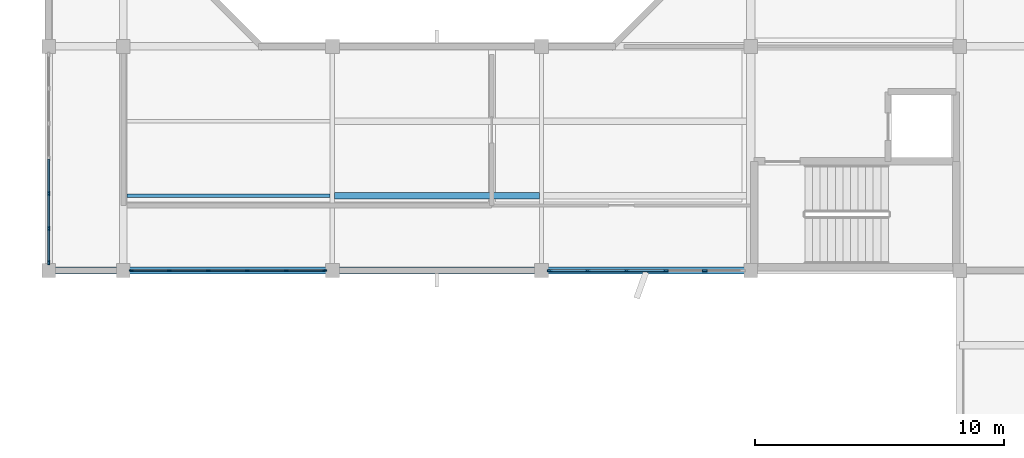
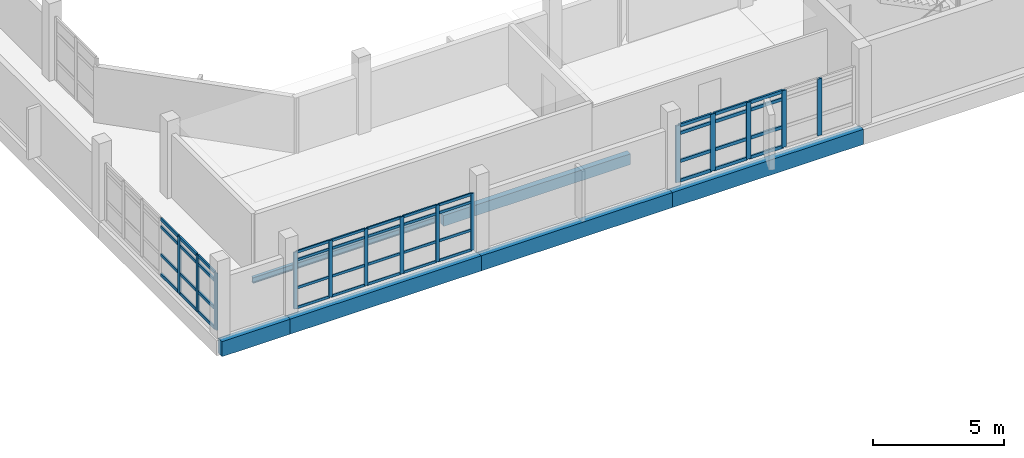
# One storey, part 2 of 51: 58 members, 6 beams, 3 elements without a shape of their own.
"""IFC4 building model written with IfcOpenShell, lengths in metres."""

from ifc_helpers import new_model, si_unit, direction, frame, origin, origin_2d, place, context, subcontext, project, spatial, rectangle, i_section, extrude, material, material_profile, profile_set, type_object, element, aggregate, save


model = new_model("IFC4")

# Units and contexts
model_context = context("Model", 3, precision=1e-05, world=origin(), true_north=direction((0.0, 1.0)))
body_context = subcontext(model_context, "Body", "Model", "MODEL_VIEW")
ifc_project = project(units=[si_unit("LENGTHUNIT", "METRE"), si_unit("AREAUNIT", "SQUARE_METRE"), si_unit("VOLUMEUNIT", "CUBIC_METRE"), si_unit("PLANEANGLEUNIT", "RADIAN"), si_unit("MASSUNIT", "GRAM", prefix="KILO")], contexts=[model_context])

# Site, building, storey
site_placement = place(None, origin())
site = spatial("IfcSite", under=ifc_project, at=site_placement, CompositionType="ELEMENT")
building_placement = place(site_placement, origin())
building = spatial("IfcBuilding", under=site, at=building_placement, Name="Vanh Quang Courtyard School", CompositionType="ELEMENT")
storey_placement = place(building_placement, frame((0.0, 0.0, 11.39990234375)))
storey = spatial("IfcBuildingStorey", under=building, at=storey_placement, Name="L03", CompositionType="ELEMENT", Elevation=11.39990234375)

# Beams
ifc_material_1 = material(Name="Concrete C35/45", Category="concrete")
ifc_material_profile_1 = material_profile(ifc_material_1, rectangle(XDim=0.300048828125, YDim=0.699951171875, at=origin_2d()), Name="RC-SP 300x700")
ifc_profile_set_1 = profile_set([ifc_material_profile_1], Name="Concrete C35/45")
beam_type_1 = type_object("IfcBeamType", Name="BM-SP-300x700", PredefinedType="SPANDREL", material=ifc_profile_set_1)
beam_1_placement = place(storey_placement, frame((37.800048828125, 32.39990234375, -0.64990234375), z_axis=(1.0, 0.0, 0.0), x_axis=(0.0, 1.0, 0.0)))
element("IfcBeam", 1, at=beam_1_placement, inside=storey, type_object=beam_type_1, Name="Beam BS-01 (L03)", PredefinedType="SPANDREL", context=body_context, shape_type="SweptSolid", body=[
    extrude(rectangle(XDim=0.300048828125, YDim=0.699951171875, at=origin_2d()), origin(), (0.0, 0.0, 1.0), 3.0),
])
beam_2_placement = place(storey_placement, frame((40.800048828125, 32.39990234375, -0.64990234375), z_axis=(1.0, 0.0, 0.0), x_axis=(0.0, 1.0, 0.0)))
element("IfcBeam", 2, at=beam_2_placement, inside=storey, type_object=beam_type_1, Name="Beam BS-01 (L03)", PredefinedType="SPANDREL", context=body_context, shape_type="SweptSolid", body=[
    extrude(rectangle(XDim=0.300048828125, YDim=0.699951171875, at=origin_2d()), origin(), (0.0, 0.0, 1.0), 8.39990234375),
])
beam_3_placement = place(storey_placement, frame((49.199951171875, 32.39990234375, -0.64990234375), z_axis=(1.0, 0.0, 0.0), x_axis=(0.0, 1.0, 0.0)))
element("IfcBeam", 3, at=beam_3_placement, inside=storey, type_object=beam_type_1, Name="Beam BS-01 (L03)", PredefinedType="SPANDREL", context=body_context, shape_type="SweptSolid", body=[
    extrude(rectangle(XDim=0.300048828125, YDim=0.699951171875, at=origin_2d()), origin(), (0.0, 0.0, 1.0), 8.400146484375),
])
beam_4_placement = place(storey_placement, frame((57.60009765625, 32.39990234375, -0.64990234375), z_axis=(1.0, 0.0, 0.0), x_axis=(0.0, 1.0, 0.0)))
element("IfcBeam", 4, at=beam_4_placement, inside=storey, type_object=beam_type_1, Name="Beam BS-01 (L03)", PredefinedType="SPANDREL", context=body_context, shape_type="SweptSolid", body=[
    extrude(rectangle(XDim=0.300048828125, YDim=0.699951171875, at=origin_2d()), origin(), (0.0, 0.0, 1.0), 8.39990234375),
])

# Curtain wall, members
ifc_material_2 = material(Name="Thermally broken aluminium unitised curtain wall", Category="aluminium")
curtain_wall_type_1 = type_object("IfcCurtainWallType", Name="CW-SYS-24", PredefinedType="NOTDEFINED", material=ifc_material_2)
curtain_wall_1_placement = place(storey_placement, origin())
curtain_wall_1 = element("IfcCurtainWall", 5, at=curtain_wall_1_placement, inside=storey, type_object=curtain_wall_type_1, Name="Curtain Wall CW-24 (L03)", PredefinedType="NOTDEFINED")
ifc_material_3 = material(Name="Anodised aluminium 6063-T6", Category="aluminium")
ifc_material_profile_2 = material_profile(ifc_material_3, rectangle(XDim=0.06005859375, YDim=0.159912109375, at=origin_2d()), Name="ALU-MUL 60x160")
ifc_profile_set_2 = profile_set([ifc_material_profile_2], Name="Anodised aluminium 6063-T6")
member_type_1 = type_object("IfcMemberType", Name="CW-MUL-60x160", PredefinedType="MULLION", material=ifc_profile_set_2)
member_1_placement = place(storey_placement, frame((48.886962890625, 32.39990234375, 0.0), z_axis=(0.0, 0.0, 1.0), x_axis=(0.0, -1.0, 0.0)))
member_1 = element("IfcMember", 6, at=member_1_placement, type_object=member_type_1, Name="CW-24 mullion 1", PredefinedType="MULLION", context=body_context, shape_type="SweptSolid", body=[
    extrude(rectangle(XDim=0.06005859375, YDim=0.159912109375, at=origin_2d()), origin(), (0.0, 0.0, 1.0), 2.64013671875),
])
member_2_placement = place(storey_placement, frame((47.35009765625, 32.39990234375, 0.0), z_axis=(0.0, 0.0, 1.0), x_axis=(0.0, -1.0, 0.0)))
member_2 = element("IfcMember", 7, at=member_2_placement, type_object=member_type_1, Name="CW-24 mullion 2", PredefinedType="MULLION", context=body_context, shape_type="SweptSolid", body=[
    extrude(rectangle(XDim=0.06005859375, YDim=0.159912109375, at=origin_2d()), origin(), (0.0, 0.0, 1.0), 2.64013671875),
])
member_3_placement = place(storey_placement, frame((45.783447265625, 32.39990234375, 0.0), z_axis=(0.0, 0.0, 1.0), x_axis=(0.0, -1.0, 0.0)))
member_3 = element("IfcMember", 8, at=member_3_placement, type_object=member_type_1, Name="CW-24 mullion 3", PredefinedType="MULLION", context=body_context, shape_type="SweptSolid", body=[
    extrude(rectangle(XDim=0.06005859375, YDim=0.159912109375, at=origin_2d()), origin(), (0.0, 0.0, 1.0), 2.64013671875),
])
member_4_placement = place(storey_placement, frame((44.216552734375, 32.39990234375, 0.0), z_axis=(0.0, 0.0, 1.0), x_axis=(0.0, -1.0, 0.0)))
member_4 = element("IfcMember", 9, at=member_4_placement, type_object=member_type_1, Name="CW-24 mullion 4", PredefinedType="MULLION", context=body_context, shape_type="SweptSolid", body=[
    extrude(rectangle(XDim=0.06005859375, YDim=0.159912109375, at=origin_2d()), origin(), (0.0, 0.0, 1.0), 2.64013671875),
])
member_5_placement = place(storey_placement, frame((42.64990234375, 32.39990234375, 0.0), z_axis=(0.0, 0.0, 1.0), x_axis=(0.0, -1.0, 0.0)))
member_5 = element("IfcMember", 10, at=member_5_placement, type_object=member_type_1, Name="CW-24 mullion 5", PredefinedType="MULLION", context=body_context, shape_type="SweptSolid", body=[
    extrude(rectangle(XDim=0.06005859375, YDim=0.159912109375, at=origin_2d()), origin(), (0.0, 0.0, 1.0), 2.64013671875),
])
member_6_placement = place(storey_placement, frame((41.113037109375, 32.39990234375, 0.0), z_axis=(0.0, 0.0, 1.0), x_axis=(0.0, -1.0, 0.0)))
member_6 = element("IfcMember", 11, at=member_6_placement, type_object=member_type_1, Name="CW-24 mullion 6", PredefinedType="MULLION", context=body_context, shape_type="SweptSolid", body=[
    extrude(rectangle(XDim=0.06005859375, YDim=0.159912109375, at=origin_2d()), origin(), (0.0, 0.0, 1.0), 2.64013671875),
])

curtain_wall_type_2 = type_object("IfcCurtainWallType", Name="CW-SYS-48", PredefinedType="NOTDEFINED", material=ifc_material_2)
curtain_wall_2_placement = place(storey_placement, origin())
curtain_wall_2 = element("IfcCurtainWall", 12, at=curtain_wall_2_placement, inside=storey, type_object=curtain_wall_type_2, Name="Curtain Wall CW-48 (L03)", PredefinedType="NOTDEFINED")
ifc_material_profile_3 = material_profile(ifc_material_3, rectangle(XDim=0.070068359375, YDim=0.179931640625, at=origin_2d()), Name="ALU-MUL 70x180")
ifc_profile_set_3 = profile_set([ifc_material_profile_3], Name="Anodised aluminium 6063-T6")
member_type_2 = type_object("IfcMemberType", Name="CW-MUL-70x180", PredefinedType="MULLION", material=ifc_profile_set_3)
member_7_placement = place(storey_placement, frame((37.800048828125, 32.718017578125, 0.0), z_axis=(0.0, 0.0, 1.0), x_axis=(-1.0, 0.0, 0.0)))
member_7 = element("IfcMember", 13, at=member_7_placement, type_object=member_type_2, Name="CW-48 mullion 1", PredefinedType="MULLION", context=body_context, shape_type="SweptSolid", body=[
    extrude(rectangle(XDim=0.070068359375, YDim=0.179931640625, at=origin_2d()), origin(), (0.0, 0.0, 1.0), 2.64013671875),
])
member_8_placement = place(storey_placement, frame((37.800048828125, 34.088623046875, 0.0), z_axis=(0.0, 0.0, 1.0), x_axis=(-1.0, 0.0, 0.0)))
member_8 = element("IfcMember", 14, at=member_8_placement, type_object=member_type_2, Name="CW-48 mullion 2", PredefinedType="MULLION", context=body_context, shape_type="SweptSolid", body=[
    extrude(rectangle(XDim=0.070068359375, YDim=0.179931640625, at=origin_2d()), origin(), (0.0, 0.0, 1.0), 2.64013671875),
])
member_9_placement = place(storey_placement, frame((37.800048828125, 35.494384765625, 0.0), z_axis=(0.0, 0.0, 1.0), x_axis=(-1.0, 0.0, 0.0)))
member_9 = element("IfcMember", 15, at=member_9_placement, type_object=member_type_2, Name="CW-48 mullion 3", PredefinedType="MULLION", context=body_context, shape_type="SweptSolid", body=[
    extrude(rectangle(XDim=0.070068359375, YDim=0.179931640625, at=origin_2d()), origin(), (0.0, 0.0, 1.0), 2.64013671875),
])

curtain_wall_3_placement = place(storey_placement, origin())
curtain_wall_3 = element("IfcCurtainWall", 16, at=curtain_wall_3_placement, inside=storey, type_object=curtain_wall_type_1, Name="Curtain Wall CW-24 (L03)", PredefinedType="NOTDEFINED")
ifc_material_profile_4 = material_profile(ifc_material_3, rectangle(XDim=0.080078125, YDim=0.199951171875, at=origin_2d()), Name="ALU-MUL 80x200")
ifc_profile_set_4 = profile_set([ifc_material_profile_4], Name="Anodised aluminium 6063-T6")
member_type_3 = type_object("IfcMemberType", Name="CW-MUL-80x200", PredefinedType="MULLION", material=ifc_profile_set_4)
member_10_placement = place(storey_placement, frame((64.150146484375, 32.39990234375, 0.0), z_axis=(0.0, 0.0, 1.0), x_axis=(0.0, -1.0, 0.0)))
member_10 = element("IfcMember", 17, at=member_10_placement, type_object=member_type_3, Name="CW-24 mullion 2", PredefinedType="MULLION", context=body_context, shape_type="SweptSolid", body=[
    extrude(rectangle(XDim=0.080078125, YDim=0.199951171875, at=origin_2d()), origin(), (0.0, 0.0, 1.0), 2.64013671875),
])
member_11_placement = place(storey_placement, frame((62.58349609375, 32.39990234375, 0.0), z_axis=(0.0, 0.0, 1.0), x_axis=(0.0, -1.0, 0.0)))
member_11 = element("IfcMember", 18, at=member_11_placement, type_object=member_type_3, Name="CW-24 mullion 3", PredefinedType="MULLION", context=body_context, shape_type="SweptSolid", body=[
    extrude(rectangle(XDim=0.080078125, YDim=0.199951171875, at=origin_2d()), origin(), (0.0, 0.0, 1.0), 2.64013671875),
])
member_12_placement = place(storey_placement, frame((61.0166015625, 32.39990234375, 0.0), z_axis=(0.0, 0.0, 1.0), x_axis=(0.0, -1.0, 0.0)))
member_12 = element("IfcMember", 19, at=member_12_placement, type_object=member_type_3, Name="CW-24 mullion 4", PredefinedType="MULLION", context=body_context, shape_type="SweptSolid", body=[
    extrude(rectangle(XDim=0.080078125, YDim=0.199951171875, at=origin_2d()), origin(), (0.0, 0.0, 1.0), 2.64013671875),
])
member_13_placement = place(storey_placement, frame((59.44970703125, 32.39990234375, 0.0), z_axis=(0.0, 0.0, 1.0), x_axis=(0.0, -1.0, 0.0)))
member_13 = element("IfcMember", 20, at=member_13_placement, type_object=member_type_3, Name="CW-24 mullion 5", PredefinedType="MULLION", context=body_context, shape_type="SweptSolid", body=[
    extrude(rectangle(XDim=0.080078125, YDim=0.199951171875, at=origin_2d()), origin(), (0.0, 0.0, 1.0), 2.64013671875),
])
member_14_placement = place(storey_placement, frame((57.923095703125, 32.39990234375, 0.0), z_axis=(0.0, 0.0, 1.0), x_axis=(0.0, -1.0, 0.0)))
member_14 = element("IfcMember", 21, at=member_14_placement, type_object=member_type_3, Name="CW-24 mullion 6", PredefinedType="MULLION", context=body_context, shape_type="SweptSolid", body=[
    extrude(rectangle(XDim=0.080078125, YDim=0.199951171875, at=origin_2d()), origin(), (0.0, 0.0, 1.0), 2.64013671875),
])

# Member
ifc_material_profile_5 = material_profile(ifc_material_3, rectangle(XDim=0.06005859375, YDim=0.1201171875, at=origin_2d()), Name="ALU-TRN 60x120")
ifc_profile_set_5 = profile_set([ifc_material_profile_5], Name="Anodised aluminium 6063-T6")
member_type_4 = type_object("IfcMemberType", Name="CW-TRN-60x120", PredefinedType="USERDEFINED", material=ifc_profile_set_5)
member_15_placement = place(storey_placement, frame((48.85693359375, 32.39990234375, 0.030029296875), z_axis=(-1.0, 0.0, 0.0), x_axis=(0.0, -1.0, 0.0)))
member_15 = element("IfcMember", 22, at=member_15_placement, type_object=member_type_4, Name="CW-24 transom 1.1", ObjectType="TRANSOM", PredefinedType="USERDEFINED", context=body_context, shape_type="SweptSolid", body=[
    extrude(rectangle(XDim=0.06005859375, YDim=0.1201171875, at=origin_2d()), origin(), (0.0, 0.0, 1.0), 1.476806640625),
])

member_16_placement = place(storey_placement, frame((48.85693359375, 32.39990234375, 0.9501953125), z_axis=(-1.0, 0.0, 0.0), x_axis=(0.0, -1.0, 0.0)))
member_16 = element("IfcMember", 23, at=member_16_placement, type_object=member_type_4, Name="CW-24 transom 1.2", ObjectType="TRANSOM", PredefinedType="USERDEFINED", context=body_context, shape_type="SweptSolid", body=[
    extrude(rectangle(XDim=0.06005859375, YDim=0.1201171875, at=origin_2d()), origin(), (0.0, 0.0, 1.0), 1.476806640625),
])

member_17_placement = place(storey_placement, frame((48.85693359375, 32.39990234375, 2.25), z_axis=(-1.0, 0.0, 0.0), x_axis=(0.0, -1.0, 0.0)))
member_17 = element("IfcMember", 24, at=member_17_placement, type_object=member_type_4, Name="CW-24 transom 1.3", ObjectType="TRANSOM", PredefinedType="USERDEFINED", context=body_context, shape_type="SweptSolid", body=[
    extrude(rectangle(XDim=0.06005859375, YDim=0.1201171875, at=origin_2d()), origin(), (0.0, 0.0, 1.0), 1.476806640625),
])

member_18_placement = place(storey_placement, frame((48.85693359375, 32.39990234375, 2.610107421875), z_axis=(-1.0, 0.0, 0.0), x_axis=(0.0, -1.0, 0.0)))
member_18 = element("IfcMember", 25, at=member_18_placement, type_object=member_type_4, Name="CW-24 transom 1.4", ObjectType="TRANSOM", PredefinedType="USERDEFINED", context=body_context, shape_type="SweptSolid", body=[
    extrude(rectangle(XDim=0.06005859375, YDim=0.1201171875, at=origin_2d()), origin(), (0.0, 0.0, 1.0), 1.476806640625),
])

member_19_placement = place(storey_placement, frame((47.3203125, 32.39990234375, 0.030029296875), z_axis=(-1.0, 0.0, 0.0), x_axis=(0.0, -1.0, 0.0)))
member_19 = element("IfcMember", 26, at=member_19_placement, type_object=member_type_4, Name="CW-24 transom 2.1", ObjectType="TRANSOM", PredefinedType="USERDEFINED", context=body_context, shape_type="SweptSolid", body=[
    extrude(rectangle(XDim=0.06005859375, YDim=0.1201171875, at=origin_2d()), origin(), (0.0, 0.0, 1.0), 1.5068359375),
])

member_20_placement = place(storey_placement, frame((47.3203125, 32.39990234375, 0.9501953125), z_axis=(-1.0, 0.0, 0.0), x_axis=(0.0, -1.0, 0.0)))
member_20 = element("IfcMember", 27, at=member_20_placement, type_object=member_type_4, Name="CW-24 transom 2.2", ObjectType="TRANSOM", PredefinedType="USERDEFINED", context=body_context, shape_type="SweptSolid", body=[
    extrude(rectangle(XDim=0.06005859375, YDim=0.1201171875, at=origin_2d()), origin(), (0.0, 0.0, 1.0), 1.5068359375),
])

member_21_placement = place(storey_placement, frame((47.3203125, 32.39990234375, 2.25), z_axis=(-1.0, 0.0, 0.0), x_axis=(0.0, -1.0, 0.0)))
member_21 = element("IfcMember", 28, at=member_21_placement, type_object=member_type_4, Name="CW-24 transom 2.3", ObjectType="TRANSOM", PredefinedType="USERDEFINED", context=body_context, shape_type="SweptSolid", body=[
    extrude(rectangle(XDim=0.06005859375, YDim=0.1201171875, at=origin_2d()), origin(), (0.0, 0.0, 1.0), 1.5068359375),
])

member_22_placement = place(storey_placement, frame((47.3203125, 32.39990234375, 2.610107421875), z_axis=(-1.0, 0.0, 0.0), x_axis=(0.0, -1.0, 0.0)))
member_22 = element("IfcMember", 29, at=member_22_placement, type_object=member_type_4, Name="CW-24 transom 2.4", ObjectType="TRANSOM", PredefinedType="USERDEFINED", context=body_context, shape_type="SweptSolid", body=[
    extrude(rectangle(XDim=0.06005859375, YDim=0.1201171875, at=origin_2d()), origin(), (0.0, 0.0, 1.0), 1.5068359375),
])

member_23_placement = place(storey_placement, frame((45.75341796875, 32.39990234375, 0.030029296875), z_axis=(-1.0, 0.0, 0.0), x_axis=(0.0, -1.0, 0.0)))
member_23 = element("IfcMember", 30, at=member_23_placement, type_object=member_type_4, Name="CW-24 transom 3.1", ObjectType="TRANSOM", PredefinedType="USERDEFINED", context=body_context, shape_type="SweptSolid", body=[
    extrude(rectangle(XDim=0.06005859375, YDim=0.1201171875, at=origin_2d()), origin(), (0.0, 0.0, 1.0), 1.5068359375),
])

member_24_placement = place(storey_placement, frame((45.75341796875, 32.39990234375, 0.9501953125), z_axis=(-1.0, 0.0, 0.0), x_axis=(0.0, -1.0, 0.0)))
member_24 = element("IfcMember", 31, at=member_24_placement, type_object=member_type_4, Name="CW-24 transom 3.2", ObjectType="TRANSOM", PredefinedType="USERDEFINED", context=body_context, shape_type="SweptSolid", body=[
    extrude(rectangle(XDim=0.06005859375, YDim=0.1201171875, at=origin_2d()), origin(), (0.0, 0.0, 1.0), 1.5068359375),
])

member_25_placement = place(storey_placement, frame((45.75341796875, 32.39990234375, 2.25), z_axis=(-1.0, 0.0, 0.0), x_axis=(0.0, -1.0, 0.0)))
member_25 = element("IfcMember", 32, at=member_25_placement, type_object=member_type_4, Name="CW-24 transom 3.3", ObjectType="TRANSOM", PredefinedType="USERDEFINED", context=body_context, shape_type="SweptSolid", body=[
    extrude(rectangle(XDim=0.06005859375, YDim=0.1201171875, at=origin_2d()), origin(), (0.0, 0.0, 1.0), 1.5068359375),
])

member_26_placement = place(storey_placement, frame((45.75341796875, 32.39990234375, 2.610107421875), z_axis=(-1.0, 0.0, 0.0), x_axis=(0.0, -1.0, 0.0)))
member_26 = element("IfcMember", 33, at=member_26_placement, type_object=member_type_4, Name="CW-24 transom 3.4", ObjectType="TRANSOM", PredefinedType="USERDEFINED", context=body_context, shape_type="SweptSolid", body=[
    extrude(rectangle(XDim=0.06005859375, YDim=0.1201171875, at=origin_2d()), origin(), (0.0, 0.0, 1.0), 1.5068359375),
])

member_27_placement = place(storey_placement, frame((44.1865234375, 32.39990234375, 0.030029296875), z_axis=(-1.0, 0.0, 0.0), x_axis=(0.0, -1.0, 0.0)))
member_27 = element("IfcMember", 34, at=member_27_placement, type_object=member_type_4, Name="CW-24 transom 4.1", ObjectType="TRANSOM", PredefinedType="USERDEFINED", context=body_context, shape_type="SweptSolid", body=[
    extrude(rectangle(XDim=0.06005859375, YDim=0.1201171875, at=origin_2d()), origin(), (0.0, 0.0, 1.0), 1.5068359375),
])

member_28_placement = place(storey_placement, frame((44.1865234375, 32.39990234375, 0.9501953125), z_axis=(-1.0, 0.0, 0.0), x_axis=(0.0, -1.0, 0.0)))
member_28 = element("IfcMember", 35, at=member_28_placement, type_object=member_type_4, Name="CW-24 transom 4.2", ObjectType="TRANSOM", PredefinedType="USERDEFINED", context=body_context, shape_type="SweptSolid", body=[
    extrude(rectangle(XDim=0.06005859375, YDim=0.1201171875, at=origin_2d()), origin(), (0.0, 0.0, 1.0), 1.5068359375),
])

member_29_placement = place(storey_placement, frame((44.1865234375, 32.39990234375, 2.25), z_axis=(-1.0, 0.0, 0.0), x_axis=(0.0, -1.0, 0.0)))
member_29 = element("IfcMember", 36, at=member_29_placement, type_object=member_type_4, Name="CW-24 transom 4.3", ObjectType="TRANSOM", PredefinedType="USERDEFINED", context=body_context, shape_type="SweptSolid", body=[
    extrude(rectangle(XDim=0.06005859375, YDim=0.1201171875, at=origin_2d()), origin(), (0.0, 0.0, 1.0), 1.5068359375),
])

member_30_placement = place(storey_placement, frame((44.1865234375, 32.39990234375, 2.610107421875), z_axis=(-1.0, 0.0, 0.0), x_axis=(0.0, -1.0, 0.0)))
member_30 = element("IfcMember", 37, at=member_30_placement, type_object=member_type_4, Name="CW-24 transom 4.4", ObjectType="TRANSOM", PredefinedType="USERDEFINED", context=body_context, shape_type="SweptSolid", body=[
    extrude(rectangle(XDim=0.06005859375, YDim=0.1201171875, at=origin_2d()), origin(), (0.0, 0.0, 1.0), 1.5068359375),
])

member_31_placement = place(storey_placement, frame((42.619873046875, 32.39990234375, 0.030029296875), z_axis=(-1.0, 0.0, 0.0), x_axis=(0.0, -1.0, 0.0)))
member_31 = element("IfcMember", 38, at=member_31_placement, type_object=member_type_4, Name="CW-24 transom 5.1", ObjectType="TRANSOM", PredefinedType="USERDEFINED", context=body_context, shape_type="SweptSolid", body=[
    extrude(rectangle(XDim=0.06005859375, YDim=0.1201171875, at=origin_2d()), origin(), (0.0, 0.0, 1.0), 1.476806640625),
])

member_32_placement = place(storey_placement, frame((42.619873046875, 32.39990234375, 0.9501953125), z_axis=(-1.0, 0.0, 0.0), x_axis=(0.0, -1.0, 0.0)))
member_32 = element("IfcMember", 39, at=member_32_placement, type_object=member_type_4, Name="CW-24 transom 5.2", ObjectType="TRANSOM", PredefinedType="USERDEFINED", context=body_context, shape_type="SweptSolid", body=[
    extrude(rectangle(XDim=0.06005859375, YDim=0.1201171875, at=origin_2d()), origin(), (0.0, 0.0, 1.0), 1.476806640625),
])

member_33_placement = place(storey_placement, frame((42.619873046875, 32.39990234375, 2.25), z_axis=(-1.0, 0.0, 0.0), x_axis=(0.0, -1.0, 0.0)))
member_33 = element("IfcMember", 40, at=member_33_placement, type_object=member_type_4, Name="CW-24 transom 5.3", ObjectType="TRANSOM", PredefinedType="USERDEFINED", context=body_context, shape_type="SweptSolid", body=[
    extrude(rectangle(XDim=0.06005859375, YDim=0.1201171875, at=origin_2d()), origin(), (0.0, 0.0, 1.0), 1.476806640625),
])

member_34_placement = place(storey_placement, frame((42.619873046875, 32.39990234375, 2.610107421875), z_axis=(-1.0, 0.0, 0.0), x_axis=(0.0, -1.0, 0.0)))
member_34 = element("IfcMember", 41, at=member_34_placement, type_object=member_type_4, Name="CW-24 transom 5.4", ObjectType="TRANSOM", PredefinedType="USERDEFINED", context=body_context, shape_type="SweptSolid", body=[
    extrude(rectangle(XDim=0.06005859375, YDim=0.1201171875, at=origin_2d()), origin(), (0.0, 0.0, 1.0), 1.476806640625),
])

aggregate(curtain_wall_1, [member_1, member_2, member_3, member_4, member_5, member_6, member_15, member_16, member_17, member_18, member_19, member_20, member_21, member_22, member_23, member_24, member_25, member_26, member_27, member_28, member_29, member_30, member_31, member_32, member_33, member_34])

ifc_material_profile_6 = material_profile(ifc_material_3, rectangle(XDim=0.070068359375, YDim=0.139892578125, at=origin_2d()), Name="ALU-TRN 70x140")
ifc_profile_set_6 = profile_set([ifc_material_profile_6], Name="Anodised aluminium 6063-T6")
member_type_5 = type_object("IfcMemberType", Name="CW-TRN-70x140", PredefinedType="USERDEFINED", material=ifc_profile_set_6)
member_35_placement = place(storey_placement, frame((37.800048828125, 32.7529296875, 0.03515625), z_axis=(0.0, 1.0, 0.0), x_axis=(-1.0, 0.0, 0.0)))
member_35 = element("IfcMember", 42, at=member_35_placement, type_object=member_type_5, Name="CW-48 transom 1.1", ObjectType="TRANSOM", PredefinedType="USERDEFINED", context=body_context, shape_type="SweptSolid", body=[
    extrude(rectangle(XDim=0.070068359375, YDim=0.139892578125, at=origin_2d()), origin(), (0.0, 0.0, 1.0), 1.30078125),
])

member_36_placement = place(storey_placement, frame((37.800048828125, 32.7529296875, 0.9501953125), z_axis=(0.0, 1.0, 0.0), x_axis=(-1.0, 0.0, 0.0)))
member_36 = element("IfcMember", 43, at=member_36_placement, type_object=member_type_5, Name="CW-48 transom 1.2", ObjectType="TRANSOM", PredefinedType="USERDEFINED", context=body_context, shape_type="SweptSolid", body=[
    extrude(rectangle(XDim=0.070068359375, YDim=0.139892578125, at=origin_2d()), origin(), (0.0, 0.0, 1.0), 1.30078125),
])

member_37_placement = place(storey_placement, frame((37.800048828125, 32.7529296875, 2.25), z_axis=(0.0, 1.0, 0.0), x_axis=(-1.0, 0.0, 0.0)))
member_37 = element("IfcMember", 44, at=member_37_placement, type_object=member_type_5, Name="CW-48 transom 1.3", ObjectType="TRANSOM", PredefinedType="USERDEFINED", context=body_context, shape_type="SweptSolid", body=[
    extrude(rectangle(XDim=0.070068359375, YDim=0.139892578125, at=origin_2d()), origin(), (0.0, 0.0, 1.0), 1.30078125),
])

member_38_placement = place(storey_placement, frame((37.800048828125, 32.7529296875, 2.60498046875), z_axis=(0.0, 1.0, 0.0), x_axis=(-1.0, 0.0, 0.0)))
member_38 = element("IfcMember", 45, at=member_38_placement, type_object=member_type_5, Name="CW-48 transom 1.4", ObjectType="TRANSOM", PredefinedType="USERDEFINED", context=body_context, shape_type="SweptSolid", body=[
    extrude(rectangle(XDim=0.070068359375, YDim=0.139892578125, at=origin_2d()), origin(), (0.0, 0.0, 1.0), 1.30078125),
])

member_39_placement = place(storey_placement, frame((37.800048828125, 34.123779296875, 0.03515625), z_axis=(0.0, 1.0, 0.0), x_axis=(-1.0, 0.0, 0.0)))
member_39 = element("IfcMember", 46, at=member_39_placement, type_object=member_type_5, Name="CW-48 transom 2.1", ObjectType="TRANSOM", PredefinedType="USERDEFINED", context=body_context, shape_type="SweptSolid", body=[
    extrude(rectangle(XDim=0.070068359375, YDim=0.139892578125, at=origin_2d()), origin(), (0.0, 0.0, 1.0), 1.33544921875),
])

member_40_placement = place(storey_placement, frame((37.800048828125, 34.123779296875, 0.9501953125), z_axis=(0.0, 1.0, 0.0), x_axis=(-1.0, 0.0, 0.0)))
member_40 = element("IfcMember", 47, at=member_40_placement, type_object=member_type_5, Name="CW-48 transom 2.2", ObjectType="TRANSOM", PredefinedType="USERDEFINED", context=body_context, shape_type="SweptSolid", body=[
    extrude(rectangle(XDim=0.070068359375, YDim=0.139892578125, at=origin_2d()), origin(), (0.0, 0.0, 1.0), 1.33544921875),
])

member_41_placement = place(storey_placement, frame((37.800048828125, 34.123779296875, 2.25), z_axis=(0.0, 1.0, 0.0), x_axis=(-1.0, 0.0, 0.0)))
member_41 = element("IfcMember", 48, at=member_41_placement, type_object=member_type_5, Name="CW-48 transom 2.3", ObjectType="TRANSOM", PredefinedType="USERDEFINED", context=body_context, shape_type="SweptSolid", body=[
    extrude(rectangle(XDim=0.070068359375, YDim=0.139892578125, at=origin_2d()), origin(), (0.0, 0.0, 1.0), 1.33544921875),
])

member_42_placement = place(storey_placement, frame((37.800048828125, 34.123779296875, 2.60498046875), z_axis=(0.0, 1.0, 0.0), x_axis=(-1.0, 0.0, 0.0)))
member_42 = element("IfcMember", 49, at=member_42_placement, type_object=member_type_5, Name="CW-48 transom 2.4", ObjectType="TRANSOM", PredefinedType="USERDEFINED", context=body_context, shape_type="SweptSolid", body=[
    extrude(rectangle(XDim=0.070068359375, YDim=0.139892578125, at=origin_2d()), origin(), (0.0, 0.0, 1.0), 1.33544921875),
])

member_43_placement = place(storey_placement, frame((37.800048828125, 35.529296875, 0.03515625), z_axis=(0.0, 1.0, 0.0), x_axis=(-1.0, 0.0, 0.0)))
member_43 = element("IfcMember", 50, at=member_43_placement, type_object=member_type_5, Name="CW-48 transom 3.1", ObjectType="TRANSOM", PredefinedType="USERDEFINED", context=body_context, shape_type="SweptSolid", body=[
    extrude(rectangle(XDim=0.070068359375, YDim=0.139892578125, at=origin_2d()), origin(), (0.0, 0.0, 1.0), 1.335693359375),
])

member_44_placement = place(storey_placement, frame((37.800048828125, 35.529296875, 0.9501953125), z_axis=(0.0, 1.0, 0.0), x_axis=(-1.0, 0.0, 0.0)))
member_44 = element("IfcMember", 51, at=member_44_placement, type_object=member_type_5, Name="CW-48 transom 3.2", ObjectType="TRANSOM", PredefinedType="USERDEFINED", context=body_context, shape_type="SweptSolid", body=[
    extrude(rectangle(XDim=0.070068359375, YDim=0.139892578125, at=origin_2d()), origin(), (0.0, 0.0, 1.0), 1.335693359375),
])

member_45_placement = place(storey_placement, frame((37.800048828125, 35.529296875, 2.25), z_axis=(0.0, 1.0, 0.0), x_axis=(-1.0, 0.0, 0.0)))
member_45 = element("IfcMember", 52, at=member_45_placement, type_object=member_type_5, Name="CW-48 transom 3.3", ObjectType="TRANSOM", PredefinedType="USERDEFINED", context=body_context, shape_type="SweptSolid", body=[
    extrude(rectangle(XDim=0.070068359375, YDim=0.139892578125, at=origin_2d()), origin(), (0.0, 0.0, 1.0), 1.335693359375),
])

member_46_placement = place(storey_placement, frame((37.800048828125, 35.529296875, 2.60498046875), z_axis=(0.0, 1.0, 0.0), x_axis=(-1.0, 0.0, 0.0)))
member_46 = element("IfcMember", 53, at=member_46_placement, type_object=member_type_5, Name="CW-48 transom 3.4", ObjectType="TRANSOM", PredefinedType="USERDEFINED", context=body_context, shape_type="SweptSolid", body=[
    extrude(rectangle(XDim=0.070068359375, YDim=0.139892578125, at=origin_2d()), origin(), (0.0, 0.0, 1.0), 1.335693359375),
])

aggregate(curtain_wall_2, [member_7, member_8, member_9, member_35, member_36, member_37, member_38, member_39, member_40, member_41, member_42, member_43, member_44, member_45, member_46])

ifc_material_profile_7 = material_profile(ifc_material_3, rectangle(XDim=0.080078125, YDim=0.14990234375, at=origin_2d()), Name="ALU-TRN 80x150")
ifc_profile_set_7 = profile_set([ifc_material_profile_7], Name="Anodised aluminium 6063-T6")
member_type_6 = type_object("IfcMemberType", Name="CW-TRN-80x150", PredefinedType="USERDEFINED", material=ifc_profile_set_7)
member_47_placement = place(storey_placement, frame((62.54345703125, 32.39990234375, 0.0400390625), z_axis=(-1.0, 0.0, 0.0), x_axis=(0.0, -1.0, 0.0)))
member_47 = element("IfcMember", 54, at=member_47_placement, type_object=member_type_6, Name="CW-24 transom 3.1", ObjectType="TRANSOM", PredefinedType="USERDEFINED", context=body_context, shape_type="SweptSolid", body=[
    extrude(rectangle(XDim=0.080078125, YDim=0.14990234375, at=origin_2d()), origin(), (0.0, 0.0, 1.0), 1.48681640625),
])

member_48_placement = place(storey_placement, frame((62.54345703125, 32.39990234375, 0.9501953125), z_axis=(-1.0, 0.0, 0.0), x_axis=(0.0, -1.0, 0.0)))
member_48 = element("IfcMember", 55, at=member_48_placement, type_object=member_type_6, Name="CW-24 transom 3.2", ObjectType="TRANSOM", PredefinedType="USERDEFINED", context=body_context, shape_type="SweptSolid", body=[
    extrude(rectangle(XDim=0.080078125, YDim=0.14990234375, at=origin_2d()), origin(), (0.0, 0.0, 1.0), 1.48681640625),
])

member_49_placement = place(storey_placement, frame((62.54345703125, 32.39990234375, 2.25), z_axis=(-1.0, 0.0, 0.0), x_axis=(0.0, -1.0, 0.0)))
member_49 = element("IfcMember", 56, at=member_49_placement, type_object=member_type_6, Name="CW-24 transom 3.3", ObjectType="TRANSOM", PredefinedType="USERDEFINED", context=body_context, shape_type="SweptSolid", body=[
    extrude(rectangle(XDim=0.080078125, YDim=0.14990234375, at=origin_2d()), origin(), (0.0, 0.0, 1.0), 1.48681640625),
])

member_50_placement = place(storey_placement, frame((62.54345703125, 32.39990234375, 2.60009765625), z_axis=(-1.0, 0.0, 0.0), x_axis=(0.0, -1.0, 0.0)))
member_50 = element("IfcMember", 57, at=member_50_placement, type_object=member_type_6, Name="CW-24 transom 3.4", ObjectType="TRANSOM", PredefinedType="USERDEFINED", context=body_context, shape_type="SweptSolid", body=[
    extrude(rectangle(XDim=0.080078125, YDim=0.14990234375, at=origin_2d()), origin(), (0.0, 0.0, 1.0), 1.48681640625),
])

member_51_placement = place(storey_placement, frame((60.9765625, 32.39990234375, 0.0400390625), z_axis=(-1.0, 0.0, 0.0), x_axis=(0.0, -1.0, 0.0)))
member_51 = element("IfcMember", 58, at=member_51_placement, type_object=member_type_6, Name="CW-24 transom 4.1", ObjectType="TRANSOM", PredefinedType="USERDEFINED", context=body_context, shape_type="SweptSolid", body=[
    extrude(rectangle(XDim=0.080078125, YDim=0.14990234375, at=origin_2d()), origin(), (0.0, 0.0, 1.0), 1.48681640625),
])

member_52_placement = place(storey_placement, frame((60.9765625, 32.39990234375, 0.9501953125), z_axis=(-1.0, 0.0, 0.0), x_axis=(0.0, -1.0, 0.0)))
member_52 = element("IfcMember", 59, at=member_52_placement, type_object=member_type_6, Name="CW-24 transom 4.2", ObjectType="TRANSOM", PredefinedType="USERDEFINED", context=body_context, shape_type="SweptSolid", body=[
    extrude(rectangle(XDim=0.080078125, YDim=0.14990234375, at=origin_2d()), origin(), (0.0, 0.0, 1.0), 1.48681640625),
])

member_53_placement = place(storey_placement, frame((60.9765625, 32.39990234375, 2.25), z_axis=(-1.0, 0.0, 0.0), x_axis=(0.0, -1.0, 0.0)))
member_53 = element("IfcMember", 60, at=member_53_placement, type_object=member_type_6, Name="CW-24 transom 4.3", ObjectType="TRANSOM", PredefinedType="USERDEFINED", context=body_context, shape_type="SweptSolid", body=[
    extrude(rectangle(XDim=0.080078125, YDim=0.14990234375, at=origin_2d()), origin(), (0.0, 0.0, 1.0), 1.48681640625),
])

member_54_placement = place(storey_placement, frame((60.9765625, 32.39990234375, 2.60009765625), z_axis=(-1.0, 0.0, 0.0), x_axis=(0.0, -1.0, 0.0)))
member_54 = element("IfcMember", 61, at=member_54_placement, type_object=member_type_6, Name="CW-24 transom 4.4", ObjectType="TRANSOM", PredefinedType="USERDEFINED", context=body_context, shape_type="SweptSolid", body=[
    extrude(rectangle(XDim=0.080078125, YDim=0.14990234375, at=origin_2d()), origin(), (0.0, 0.0, 1.0), 1.48681640625),
])

member_55_placement = place(storey_placement, frame((59.409912109375, 32.39990234375, 0.0400390625), z_axis=(-1.0, 0.0, 0.0), x_axis=(0.0, -1.0, 0.0)))
member_55 = element("IfcMember", 62, at=member_55_placement, type_object=member_type_6, Name="CW-24 transom 5.1", ObjectType="TRANSOM", PredefinedType="USERDEFINED", context=body_context, shape_type="SweptSolid", body=[
    extrude(rectangle(XDim=0.080078125, YDim=0.14990234375, at=origin_2d()), origin(), (0.0, 0.0, 1.0), 1.447021484375),
])

member_56_placement = place(storey_placement, frame((59.409912109375, 32.39990234375, 0.9501953125), z_axis=(-1.0, 0.0, 0.0), x_axis=(0.0, -1.0, 0.0)))
member_56 = element("IfcMember", 63, at=member_56_placement, type_object=member_type_6, Name="CW-24 transom 5.2", ObjectType="TRANSOM", PredefinedType="USERDEFINED", context=body_context, shape_type="SweptSolid", body=[
    extrude(rectangle(XDim=0.080078125, YDim=0.14990234375, at=origin_2d()), origin(), (0.0, 0.0, 1.0), 1.447021484375),
])

member_57_placement = place(storey_placement, frame((59.409912109375, 32.39990234375, 2.25), z_axis=(-1.0, 0.0, 0.0), x_axis=(0.0, -1.0, 0.0)))
member_57 = element("IfcMember", 64, at=member_57_placement, type_object=member_type_6, Name="CW-24 transom 5.3", ObjectType="TRANSOM", PredefinedType="USERDEFINED", context=body_context, shape_type="SweptSolid", body=[
    extrude(rectangle(XDim=0.080078125, YDim=0.14990234375, at=origin_2d()), origin(), (0.0, 0.0, 1.0), 1.447021484375),
])

member_58_placement = place(storey_placement, frame((59.409912109375, 32.39990234375, 2.60009765625), z_axis=(-1.0, 0.0, 0.0), x_axis=(0.0, -1.0, 0.0)))
member_58 = element("IfcMember", 65, at=member_58_placement, type_object=member_type_6, Name="CW-24 transom 5.4", ObjectType="TRANSOM", PredefinedType="USERDEFINED", context=body_context, shape_type="SweptSolid", body=[
    extrude(rectangle(XDim=0.080078125, YDim=0.14990234375, at=origin_2d()), origin(), (0.0, 0.0, 1.0), 1.447021484375),
])

aggregate(curtain_wall_3, [member_10, member_11, member_12, member_13, member_14, member_47, member_48, member_49, member_50, member_51, member_52, member_53, member_54, member_55, member_56, member_57, member_58])

# Beams
ifc_material_4 = material(Name="Concrete C30/37", Category="concrete")
ifc_material_profile_8 = material_profile(ifc_material_4, rectangle(XDim=0.25, YDim=0.5, at=origin_2d()), Name="RC-JST 250x500")
ifc_profile_set_8 = profile_set([ifc_material_profile_8], Name="Concrete C30/37")
beam_type_2 = type_object("IfcBeamType", Name="JST-RC-250x500", PredefinedType="JOIST", material=ifc_profile_set_8)
beam_5_placement = place(storey_placement, frame((49.2900390625, 35.39990234375, -0.5498046875), z_axis=(1.0, 0.0, 0.0), x_axis=(0.0, 1.0, 0.0)))
element("IfcBeam", 66, at=beam_5_placement, inside=storey, type_object=beam_type_2, Name="Beam BJ-01 (L03)", PredefinedType="JOIST", context=body_context, shape_type="SweptSolid", body=[
    extrude(rectangle(XDim=0.25, YDim=0.5, at=origin_2d()), origin(), (0.0, 0.0, 1.0), 8.224853515625),
])
ifc_material_5 = material(Name="Structural steel EN 10025-2 S355J2", Category="steel")
ifc_material_profile_9 = material_profile(ifc_material_5, i_section(OverallWidth=0.135009765625, OverallDepth=0.27001953125, WebThickness=0.006591796875, FlangeThickness=0.01025390625, FilletRadius=0.014892578125, at=origin_2d()), Name="IPE 270")
ifc_profile_set_9 = profile_set([ifc_material_profile_9], Name="Structural steel EN 10025-2 S355J2")
beam_type_3 = type_object("IfcBeamType", Name="JST-STL-IPE270", PredefinedType="JOIST", material=ifc_profile_set_9)
beam_6_placement = place(storey_placement, frame((40.949951171875, 35.39990234375, -0.434814453125), z_axis=(1.0, 0.0, 0.0), x_axis=(0.0, 1.0, 0.0)))
element("IfcBeam", 67, at=beam_6_placement, inside=storey, type_object=beam_type_3, Name="Beam SJ-03 (L03)", PredefinedType="JOIST", context=body_context, shape_type="SweptSolid", body=[
    extrude(i_section(OverallWidth=0.135009765625, OverallDepth=0.27001953125, WebThickness=0.006591796875, FlangeThickness=0.01025390625, FilletRadius=0.014892578125, at=origin_2d()), origin(), (0.0, 0.0, 1.0), 8.16015625),
])

save(model, "model.ifc")
